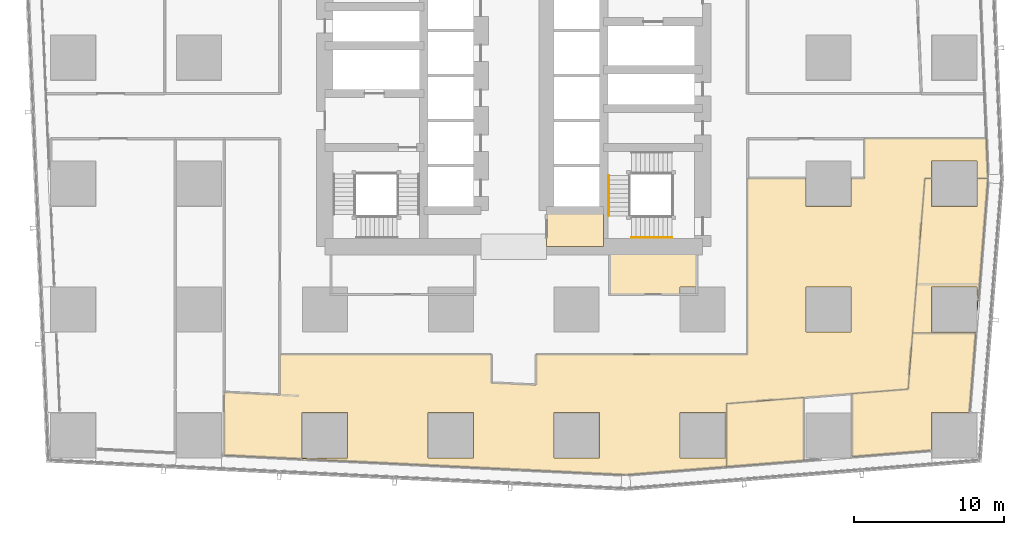
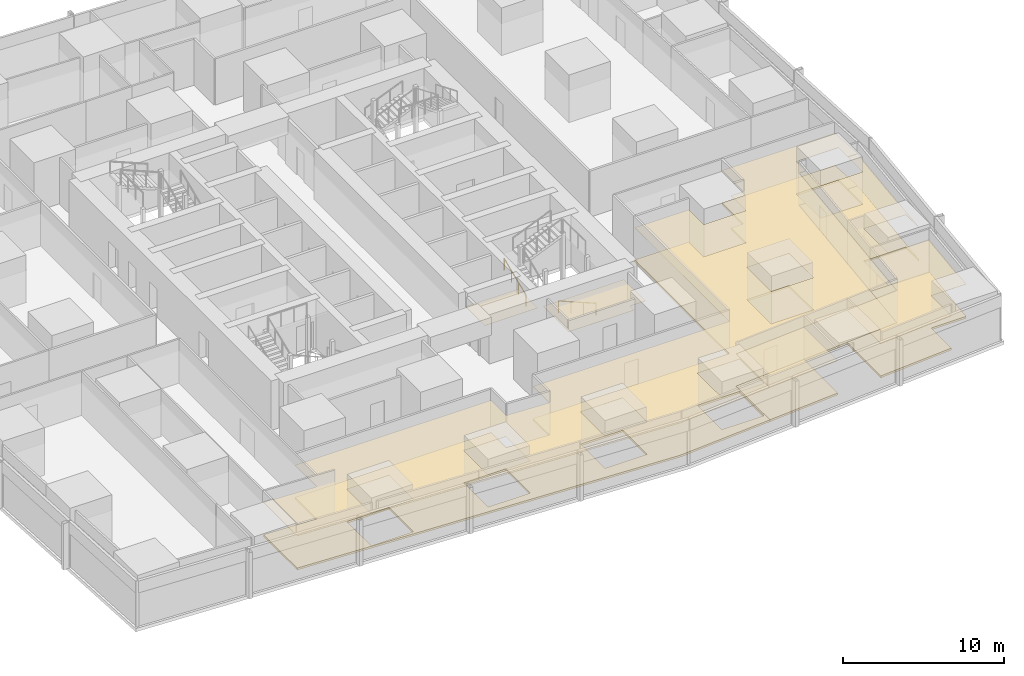
# One storey, part 39 of 45: 10 coverings, 2 railings.
"""IFC4 building model written with IfcOpenShell, lengths in metres."""

from ifc_helpers import new_model, si_unit, direction, frame, origin, origin_2d, place, context, subcontext, project, spatial, polyline, circle, outline, extrude, material, layer, layer_set, type_object, element, save


model = new_model("IFC4")

# Units and contexts
model_context = context("Model", 3, precision=1e-05, world=origin(), true_north=direction((0.0, 1.0)))
body_context = subcontext(model_context, "Body", "Model", "MODEL_VIEW")
ifc_project = project(units=[si_unit("LENGTHUNIT", "METRE"), si_unit("AREAUNIT", "SQUARE_METRE"), si_unit("VOLUMEUNIT", "CUBIC_METRE"), si_unit("PLANEANGLEUNIT", "RADIAN"), si_unit("MASSUNIT", "GRAM", prefix="KILO")], contexts=[model_context])

# Site, building, storey
site_placement = place(None, origin())
site = spatial("IfcSite", under=ifc_project, at=site_placement, CompositionType="ELEMENT")
building_placement = place(site_placement, origin())
building = spatial("IfcBuilding", under=site, at=building_placement, Name="Rekha Terrace Tower", CompositionType="ELEMENT")
storey_placement = place(building_placement, frame((0.0, 0.0, 77.89990234375)))
storey = spatial("IfcBuildingStorey", under=building, at=storey_placement, Name="L19", CompositionType="ELEMENT", Elevation=77.89990234375)

# Coverings
ifc_material_1 = material(Name="Mineral fibre tile in exposed grid", Category="finish")
ifc_layer_1 = layer(ifc_material_1, 0.02001953125)
ifc_layer_set_1 = layer_set([ifc_layer_1], Name="Mineral fibre tile in exposed grid")
covering_type_1 = type_object("IfcCoveringType", Name="CL1 600x1200 office grid ceiling", PredefinedType="CEILING", material=ifc_layer_set_1)
covering_1_placement = place(storey_placement, frame((0.0, 0.0, 2.580078125)))
element("IfcCovering", 1, at=covering_1_placement, inside=storey, type_object=covering_type_1, Name="Ceiling L19-02", PredefinedType="CEILING", context=body_context, shape_type="SweptSolid", body=[
    extrude(outline(polyline([(57.12890625, 6.7119140625), (57.12890625, 10.925048828125), (52.0009765625, 10.514892578125), (52.0009765625, 6.301025390625), (57.12890625, 6.7119140625)])), origin(), (0.0, 0.0, 1.0), 0.02001953125),
])
covering_2_placement = place(storey_placement, frame((0.0, 0.0, 2.580078125)))
element("IfcCovering", 2, at=covering_2_placement, inside=storey, type_object=covering_type_1, Name="Ceiling L19-04", PredefinedType="CEILING", context=body_context, shape_type="SweptSolid", body=[
    extrude(outline(polyline([(64.111083984375, 11.485107421875), (60.360107421875, 11.18408203125), (60.360107421875, 6.970947265625), (65.68505859375, 7.39697265625), (65.68505859375, 9.9150390625), (68.199951171875, 9.9150390625), (68.6220703125, 15.239990234375), (64.408935546875, 15.239990234375), (64.111083984375, 11.485107421875)])), origin(), (0.0, 0.0, 1.0), 0.02001953125),
])
covering_3_placement = place(storey_placement, frame((0.0, 0.0, 2.580078125)))
element("IfcCovering", 3, at=covering_3_placement, inside=storey, type_object=covering_type_1, Name="Ceiling L19-05", PredefinedType="CEILING", context=body_context, shape_type="SweptSolid", body=[
    extrude(outline(polyline([(65.68505859375, 23.68505859375), (65.68505859375, 25.551025390625), (65.22705078125, 25.551025390625), (64.666015625, 18.47607421875), (64.408935546875, 15.240966796875), (68.6220703125, 15.240966796875), (68.625, 15.284912109375), (65.68505859375, 15.284912109375), (65.68505859375, 18.31494140625), (68.715087890625, 18.31494140625), (68.715087890625, 16.716064453125), (68.739013671875, 16.715087890625), (68.87890625, 18.47705078125), (69.44091796875, 25.551025390625), (68.715087890625, 25.551025390625), (68.715087890625, 23.68505859375), (65.68505859375, 23.68505859375)])), origin(), (0.0, 0.0, 1.0), 0.02001953125),
])
covering_4_placement = place(storey_placement, frame((0.0, 0.0, 2.580078125)))
element("IfcCovering", 4, at=covering_4_placement, inside=storey, type_object=covering_type_1, Name="Ceiling L19-O1", PredefinedType="CEILING", context=body_context, shape_type="SweptSolid", body=[
    extrude(outline(polyline([(36.300048828125, 13.800048828125), (22.199951171875, 13.800048828125), (22.199951171875, 11.10009765625), (18.47509765625, 11.282958984375), (18.47509765625, 7.077880859375), (23.451904296875, 6.8330078125), (38.198974609375, 6.10888671875), (43.7119140625, 5.839111328125), (45.27099609375, 5.761962890625), (52.0009765625, 6.301025390625), (52.0009765625, 10.514892578125), (57.14501953125, 10.926025390625), (60.375, 11.18505859375), (64.111083984375, 11.485107421875), (64.408935546875, 15.240966796875), (64.666015625, 18.47705078125), (65.22705078125, 25.551025390625), (65.68505859375, 25.551025390625), (65.68505859375, 26.715087890625), (68.715087890625, 26.715087890625), (68.715087890625, 25.551025390625), (69.43701171875, 25.551025390625), (69.322998046875, 28.199951171875), (61.199951171875, 28.199951171875), (61.199951171875, 25.552001953125), (60.31494140625, 25.552001953125), (60.31494140625, 23.68505859375), (57.284912109375, 23.68505859375), (57.284912109375, 25.552001953125), (53.39990234375, 25.552001953125), (53.39990234375, 13.800048828125), (39.300048828125, 13.800048828125), (39.300048828125, 11.761962890625), (36.300048828125, 11.908935546875), (36.300048828125, 13.800048828125)]), holes=[polyline([(60.31494140625, 18.31494140625), (60.31494140625, 15.284912109375), (57.284912109375, 15.284912109375), (57.284912109375, 18.31494140625), (60.31494140625, 18.31494140625)]), polyline([(51.9150390625, 6.885009765625), (48.885009765625, 6.885009765625), (48.885009765625, 9.9150390625), (51.9150390625, 9.9150390625), (51.9150390625, 6.885009765625)]), polyline([(43.514892578125, 6.885009765625), (40.485107421875, 6.885009765625), (40.485107421875, 9.9150390625), (43.514892578125, 9.9150390625), (43.514892578125, 6.885009765625)]), polyline([(35.114990234375, 6.885009765625), (32.0849609375, 6.885009765625), (32.0849609375, 9.9150390625), (35.114990234375, 9.9150390625), (35.114990234375, 6.885009765625)]), polyline([(26.715087890625, 9.9150390625), (26.715087890625, 6.885009765625), (23.68505859375, 6.885009765625), (23.68505859375, 9.9150390625), (26.715087890625, 9.9150390625)])]), origin(), (0.0, 0.0, 1.0), 0.02001953125),
])
ifc_material_2 = material(Name="Fibre cement board", Category="finish")
ifc_layer_2 = layer(ifc_material_2, 0.014892578125)
ifc_layer_set_2 = layer_set([ifc_layer_2], Name="Fibre cement board")
covering_type_2 = type_object("IfcCoveringType", Name="CL2 moisture-resistant board ceiling", PredefinedType="CEILING", material=ifc_layer_set_2)
covering_5_placement = place(storey_placement, frame((0.0, 0.0, 2.585205078125)))
element("IfcCovering", 5, at=covering_5_placement, inside=storey, type_object=covering_type_2, Name="Ceiling L19-WCA", PredefinedType="CEILING", context=body_context, shape_type="SweptSolid", body=[
    extrude(outline(polyline([(43.800048828125, 23.39990234375), (40.0, 23.39990234375), (40.0, 21.0), (43.800048828125, 21.0), (43.800048828125, 23.39990234375)])), origin(), (0.0, 0.0, 1.0), 0.014892578125),
])
covering_6_placement = place(storey_placement, frame((0.0, 0.0, 2.585205078125)))
element("IfcCovering", 6, at=covering_6_placement, inside=storey, type_object=covering_type_2, Name="Ceiling L19-WCM2", PredefinedType="CEILING", context=body_context, shape_type="SweptSolid", body=[
    extrude(outline(polyline([(50.0, 21.0), (44.199951171875, 21.0), (44.199951171875, 17.800048828125), (48.885009765625, 17.800048828125), (48.885009765625, 18.31494140625), (50.0, 18.31494140625), (50.0, 21.0)])), origin(), (0.0, 0.0, 1.0), 0.014892578125),
])

# Railings
ifc_material_3 = material(Name="Stainless steel tube", Category="steel")
railing_type = type_object("IfcRailingType", Name="HR1 900 stair handrail", PredefinedType="HANDRAIL", material=ifc_material_3)
railing_1_placement = place(storey_placement, frame((48.35009765625, 21.610107421875, 0.125)))
element("IfcRailing", 7, at=railing_1_placement, inside=storey, type_object=railing_type, Name="Handrail ST3 L19 flight 1", PredefinedType="HANDRAIL", context=body_context, shape_type="SweptSolid", body=[
    extrude(circle(Radius=0.02392578125, at=origin_2d()), frame((0.0, 0.0, 0.8759765625), z_axis=(-0.923086799901, 0.0, 0.38459167938), x_axis=(0.0, -1.0, 0.0)), (0.0, 0.0, 1.0), 2.92529296875),
    extrude(circle(Radius=0.02099609375, at=origin_2d()), origin(), (0.0, 0.0, 1.0), 0.851806640625),
    extrude(circle(Radius=0.02099609375, at=origin_2d()), frame((-0.900146484375, 0.0, 0.375)), (0.0, 0.0, 1.0), 0.851806640625),
    extrude(circle(Radius=0.02099609375, at=origin_2d()), frame((-1.800048828125, 0.0, 0.75)), (0.0, 0.0, 1.0), 0.851806640625),
    extrude(circle(Radius=0.02099609375, at=origin_2d()), frame((-2.7001953125, 0.0, 1.125)), (0.0, 0.0, 1.0), 0.851806640625),
])
railing_2_placement = place(storey_placement, frame((44.135009765625, 23.050048828125, 1.375)))
element("IfcRailing", 8, at=railing_2_placement, inside=storey, type_object=railing_type, Name="Handrail ST3 L19 flight 2", PredefinedType="HANDRAIL", context=body_context, shape_type="SweptSolid", body=[
    extrude(circle(Radius=0.02392578125, at=origin_2d()), frame((0.0, 0.0, 0.8759765625), z_axis=(0.0, 0.923074453586, 0.384621311341), x_axis=(-1.0, 0.0, 0.0)), (0.0, 0.0, 1.0), 2.925048828125),
    extrude(circle(Radius=0.02099609375, at=origin_2d()), origin(), (0.0, 0.0, 1.0), 0.851806640625),
    extrude(circle(Radius=0.02099609375, at=origin_2d()), frame((0.0, 0.89990234375, 0.375)), (0.0, 0.0, 1.0), 0.851806640625),
    extrude(circle(Radius=0.02099609375, at=origin_2d()), frame((0.0, 1.800048828125, 0.75)), (0.0, 0.0, 1.0), 0.851806640625),
    extrude(circle(Radius=0.02099609375, at=origin_2d()), frame((0.0, 2.699951171875, 1.125)), (0.0, 0.0, 1.0), 0.851806640625),
])

# Coverings
ifc_material_4 = material(Name="Calcium sulphate panels on steel pedestals", Category="steel")
ifc_layer_3 = layer(ifc_material_4, 0.14990234375)
ifc_layer_set_3 = layer_set([ifc_layer_3], Name="Calcium sulphate panels on steel pedestals")
covering_type_3 = type_object("IfcCoveringType", Name="RF1 150 raised access floor", PredefinedType="FLOORING", material=ifc_layer_set_3)
covering_7_placement = place(storey_placement, origin())
element("IfcCovering", 9, at=covering_7_placement, inside=storey, type_object=covering_type_3, Name="Raised floor L19-02", PredefinedType="FLOORING", context=body_context, shape_type="SweptSolid", body=[
    extrude(outline(polyline([(57.12890625, 6.7119140625), (57.12890625, 10.925048828125), (52.0009765625, 10.514892578125), (52.0009765625, 6.301025390625), (57.12890625, 6.7119140625)])), origin(), (0.0, 0.0, 1.0), 0.150146484375),
])
covering_8_placement = place(storey_placement, origin())
element("IfcCovering", 10, at=covering_8_placement, inside=storey, type_object=covering_type_3, Name="Raised floor L19-04", PredefinedType="FLOORING", context=body_context, shape_type="SweptSolid", body=[
    extrude(outline(polyline([(64.111083984375, 11.485107421875), (60.360107421875, 11.18408203125), (60.360107421875, 6.970947265625), (65.68505859375, 7.39697265625), (65.68505859375, 9.9150390625), (68.199951171875, 9.9150390625), (68.6220703125, 15.239990234375), (64.408935546875, 15.239990234375), (64.111083984375, 11.485107421875)])), origin(), (0.0, 0.0, 1.0), 0.150146484375),
])
covering_9_placement = place(storey_placement, origin())
element("IfcCovering", 11, at=covering_9_placement, inside=storey, type_object=covering_type_3, Name="Raised floor L19-05", PredefinedType="FLOORING", context=body_context, shape_type="SweptSolid", body=[
    extrude(outline(polyline([(65.68505859375, 23.68505859375), (65.68505859375, 25.551025390625), (65.22705078125, 25.551025390625), (64.666015625, 18.47607421875), (64.408935546875, 15.240966796875), (68.6220703125, 15.240966796875), (68.625, 15.284912109375), (65.68505859375, 15.284912109375), (65.68505859375, 18.31494140625), (68.715087890625, 18.31494140625), (68.715087890625, 16.716064453125), (68.739013671875, 16.715087890625), (68.87890625, 18.47705078125), (69.44091796875, 25.551025390625), (68.715087890625, 25.551025390625), (68.715087890625, 23.68505859375), (65.68505859375, 23.68505859375)])), origin(), (0.0, 0.0, 1.0), 0.150146484375),
])
covering_10_placement = place(storey_placement, origin())
element("IfcCovering", 12, at=covering_10_placement, inside=storey, type_object=covering_type_3, Name="Raised floor L19-O1", PredefinedType="FLOORING", context=body_context, shape_type="SweptSolid", body=[
    extrude(outline(polyline([(36.300048828125, 13.800048828125), (22.199951171875, 13.800048828125), (22.199951171875, 11.10009765625), (18.47509765625, 11.282958984375), (18.47509765625, 7.077880859375), (23.451904296875, 6.8330078125), (38.198974609375, 6.10888671875), (43.7119140625, 5.839111328125), (45.27099609375, 5.761962890625), (52.0009765625, 6.301025390625), (52.0009765625, 10.514892578125), (57.14501953125, 10.926025390625), (60.375, 11.18505859375), (64.111083984375, 11.485107421875), (64.408935546875, 15.240966796875), (64.666015625, 18.47705078125), (65.22705078125, 25.551025390625), (65.68505859375, 25.551025390625), (65.68505859375, 26.715087890625), (68.715087890625, 26.715087890625), (68.715087890625, 25.551025390625), (69.43701171875, 25.551025390625), (69.322998046875, 28.199951171875), (61.199951171875, 28.199951171875), (61.199951171875, 25.552001953125), (60.31494140625, 25.552001953125), (60.31494140625, 23.68505859375), (57.284912109375, 23.68505859375), (57.284912109375, 25.552001953125), (53.39990234375, 25.552001953125), (53.39990234375, 13.800048828125), (39.300048828125, 13.800048828125), (39.300048828125, 11.761962890625), (36.300048828125, 11.908935546875), (36.300048828125, 13.800048828125)]), holes=[polyline([(60.31494140625, 18.31494140625), (60.31494140625, 15.284912109375), (57.284912109375, 15.284912109375), (57.284912109375, 18.31494140625), (60.31494140625, 18.31494140625)]), polyline([(51.9150390625, 6.885009765625), (48.885009765625, 6.885009765625), (48.885009765625, 9.9150390625), (51.9150390625, 9.9150390625), (51.9150390625, 6.885009765625)]), polyline([(43.514892578125, 6.885009765625), (40.485107421875, 6.885009765625), (40.485107421875, 9.9150390625), (43.514892578125, 9.9150390625), (43.514892578125, 6.885009765625)]), polyline([(35.114990234375, 6.885009765625), (32.0849609375, 6.885009765625), (32.0849609375, 9.9150390625), (35.114990234375, 9.9150390625), (35.114990234375, 6.885009765625)]), polyline([(26.715087890625, 9.9150390625), (26.715087890625, 6.885009765625), (23.68505859375, 6.885009765625), (23.68505859375, 9.9150390625), (26.715087890625, 9.9150390625)])]), origin(), (0.0, 0.0, 1.0), 0.150146484375),
])

save(model, "model.ifc")
